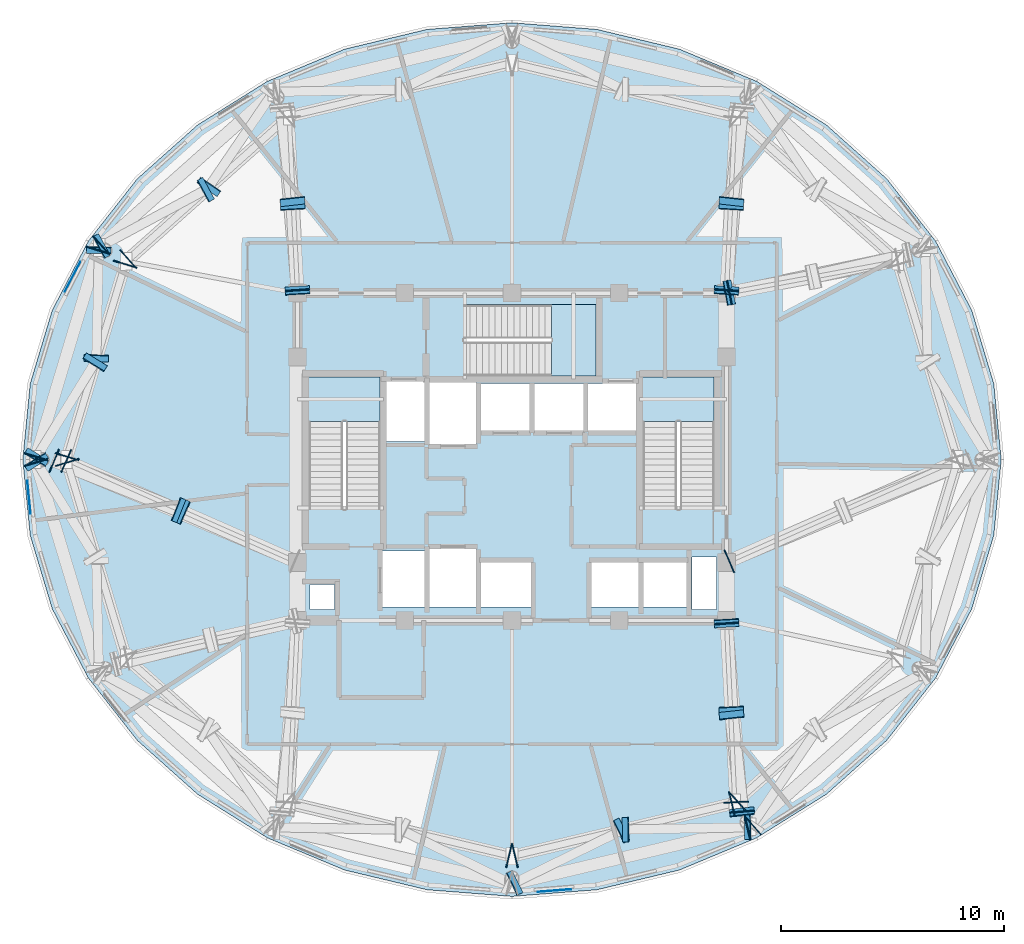
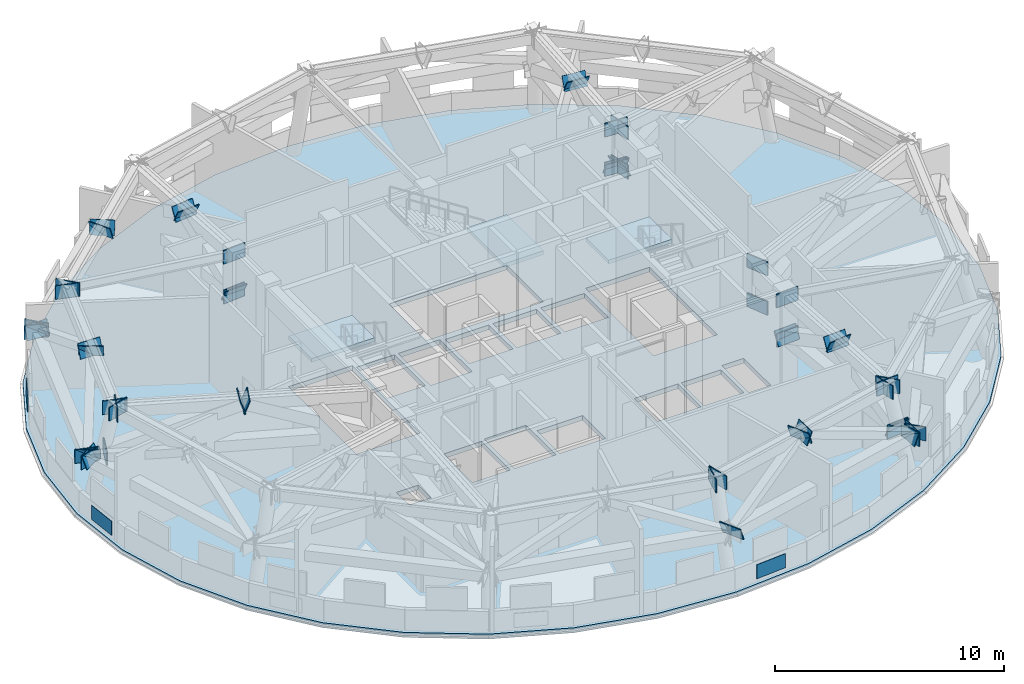
# One storey, part 4 of 13: 56 plates, 4 slabs, 3 elements without a shape of their own.
"""IFC4 building model written with IfcOpenShell, lengths in metres."""

import ifcopenshell
import ifcopenshell.guid

model = None  # the IFC model being written
_history = None  # IfcOwnerHistory: only IFC2X3 demands one
_inside = {}  # id of a spatial element -> (the spatial element, [elements in it])
_under = {}  # id of a project, library or spatial element -> (it, [spatial elements below it])
_declared = {}  # id of a project -> (the project, [libraries it declares])
_typed = {}  # id of a type object -> (the type object, [elements of that type])
_made_of = {}  # id of a material, layer set ... -> (it, [elements and type objects made of it])


def new_model(schema):
    """Start an empty IFC model of exactly this schema.

    Asked for "IFC4X3", IfcOpenShell would pick the latest addendum, in which some entities
    have other attributes; the version numbers below select the first issue.
    IFC2X3 requires an IfcOwnerHistory on every rooted entity: one is made here for all.
    """
    global model, _history
    if schema == "IFC4X3":
        model = ifcopenshell.file(schema_version=(4, 3, 0, 0))
    else:
        model = ifcopenshell.file(schema=schema)
    _inside.clear()
    _under.clear()
    _declared.clear()
    _typed.clear()
    _made_of.clear()
    _history = None
    if model.schema == "IFC2X3":
        org = make("IfcOrganization", Name="unknown")
        user = make(
            "IfcPersonAndOrganization",
            ThePerson=make("IfcPerson", FamilyName="unknown"),
            TheOrganization=org,
        )
        app = make(
            "IfcApplication",
            ApplicationDeveloper=org,
            Version="unknown",
            ApplicationFullName="unknown",
            ApplicationIdentifier="unknown",
        )
        _history = make(
            "IfcOwnerHistory",
            OwningUser=user,
            OwningApplication=app,
            ChangeAction="ADDED",
            CreationDate=0,
        )
    return model


def make(cls, **values):
    """One entity of the class cls with the attributes given. An attribute that is None is left unset."""
    return model.create_entity(
        cls, **{name: value for name, value in values.items() if value is not None}
    )


def rooted(cls, **values):
    """An entity with a GlobalId (a new one), such as an element, a storey or a relation."""
    return make(cls, GlobalId=ifcopenshell.guid.new(), OwnerHistory=_history, **values)


def si_unit(unit_type, name, prefix=None):
    """IfcSIUnit, for example si_unit("LENGTHUNIT", "METRE", prefix="MILLI")."""
    return make("IfcSIUnit", UnitType=unit_type, Prefix=prefix, Name=name)


def assignment(units):
    """IfcUnitAssignment: the units of a project."""
    return None if units is None else make("IfcUnitAssignment", Units=units)


def point(xyz):
    """IfcCartesianPoint."""
    return None if xyz is None else make("IfcCartesianPoint", Coordinates=xyz)


def direction(xyz):
    """IfcDirection."""
    return None if xyz is None else make("IfcDirection", DirectionRatios=xyz)


def frame(location, z_axis=None, x_axis=None):
    """IfcAxis2Placement3D, a coordinate frame: its origin and axes. An axis left out is left unset."""
    return make(
        "IfcAxis2Placement3D",
        Location=point(location),
        Axis=direction(z_axis),
        RefDirection=direction(x_axis),
    )


def frame_2d(location, x_axis=None):
    """IfcAxis2Placement2D, a coordinate frame in the plane: its origin and x axis."""
    return make(
        "IfcAxis2Placement2D", Location=point(location), RefDirection=direction(x_axis)
    )


def origin():
    """The frame at (0, 0, 0) with its axes left unset."""
    return frame((0.0, 0.0, 0.0))


def origin_2d():
    """The frame at (0, 0) in the plane with its x axis left unset."""
    return frame_2d((0.0, 0.0))


def place(relative_to, where):
    """IfcLocalPlacement: puts the frame where relative to a parent placement (None: the world)."""
    return make(
        "IfcLocalPlacement", PlacementRelTo=relative_to, RelativePlacement=where
    )


def context(
    kind, dimensions, precision=None, world=None, true_north=None, identifier=None
):
    """IfcGeometricRepresentationContext, for example the 3D "Model" context."""
    return make(
        "IfcGeometricRepresentationContext",
        ContextIdentifier=identifier,
        ContextType=kind,
        CoordinateSpaceDimension=dimensions,
        Precision=precision,
        WorldCoordinateSystem=world,
        TrueNorth=true_north,
    )


def subcontext(parent, identifier, kind, view, scale=None):
    """IfcGeometricRepresentationSubContext, for example "Body" below "Model"."""
    return make(
        "IfcGeometricRepresentationSubContext",
        ContextIdentifier=identifier,
        ContextType=kind,
        ParentContext=parent,
        TargetScale=scale,
        TargetView=view,
    )


def project(units=None, contexts=None):
    """IfcProject with its units and contexts."""
    return rooted(
        "IfcProject",
        Name="project",
        RepresentationContexts=contexts,
        UnitsInContext=assignment(units),
    )


def spatial(cls, under=None, at=None, **own):
    """A site, building, storey or space (cls), placed at a placement, below another one or the project."""
    s = rooted(cls, ObjectPlacement=at, **own)
    if under is not None:
        _under.setdefault(under.id(), (under, []))[1].append(s)
    return s


def polyline(points):
    """IfcPolyline through the points."""
    return make("IfcPolyline", Points=[point(p) for p in points])


def profile(cls, at=None, kind="AREA", **sizes):
    """A parametric profile (cls). Its sizes go by their IFC names, for example OverallWidth=200.0."""
    return make(cls, ProfileType=kind, Position=at, **sizes)


def rectangle(**sizes):
    """IfcRectangleProfileDef."""
    return profile("IfcRectangleProfileDef", **sizes)


def outline(outer, holes=None, kind="AREA"):
    """IfcArbitraryClosedProfileDef: a profile drawn as a closed curve; with holes, ...WithVoids."""
    if holes is None:
        return make("IfcArbitraryClosedProfileDef", ProfileType=kind, OuterCurve=outer)
    return make(
        "IfcArbitraryProfileDefWithVoids",
        ProfileType=kind,
        OuterCurve=outer,
        InnerCurves=holes,
    )


def extrude(swept, where, along, depth):
    """IfcExtrudedAreaSolid: the profile swept, set in the frame where, extruded along a direction by depth."""
    return make(
        "IfcExtrudedAreaSolid",
        SweptArea=swept,
        Position=where,
        ExtrudedDirection=direction(along),
        Depth=depth,
    )


def shape(context_of_items, identifier, shape_type, items):
    """IfcShapeRepresentation: the items that make up one representation, for example the "Body"."""
    return make(
        "IfcShapeRepresentation",
        ContextOfItems=context_of_items,
        RepresentationIdentifier=identifier,
        RepresentationType=shape_type,
        Items=items,
    )


def material(Name=None, Category=None):
    """IfcMaterial."""
    return make("IfcMaterial", Name=Name, Category=Category)


def layer(
    of_material, thickness, ventilated=None, Name=None, Category=None, Priority=None
):
    """IfcMaterialLayer: one layer of a wall or slab, of a material (None: an air gap)."""
    return make(
        "IfcMaterialLayer",
        Material=of_material,
        LayerThickness=thickness,
        IsVentilated=ventilated,
        Name=Name,
        Category=Category,
        Priority=Priority,
    )


def layer_set(layers, Name=None):
    """IfcMaterialLayerSet."""
    return make("IfcMaterialLayerSet", MaterialLayers=layers, LayerSetName=Name)


def made_of(thing, what):
    """Note that an element or type object is made of a material, layer set ...; save() writes the relation."""
    if what is not None:
        _made_of.setdefault(what.id(), (what, []))[1].append(thing)
    return thing


def type_object(cls, material=None, **own):
    """A type object (cls), such as IfcWallType, which elements share."""
    return made_of(rooted(cls, **own), material)


def element(
    cls,
    number,
    at=None,
    inside=None,
    cuts=None,
    type_object=None,
    material=None,
    context=None,
    identifier="Body",
    shape_type=None,
    held_by="IfcProductDefinitionShape",
    body=None,
    shapes=None,
    **own,
):
    """One element of the class cls, such as IfcWall. Its Tag is "e" and its number.

    at: its placement. inside: the storey or other place that contains it. cuts: it is an
    opening in that element (IfcRelVoidsElement). A single representation is given by context,
    identifier, shape_type and body (its items); several are given by shapes. held_by: the class
    of the entity that holds the representations. save() writes the other relations.
    """
    e = rooted(cls, Tag="e%d" % number, ObjectPlacement=at, **own)
    if body is not None:
        shapes = [shape(context, identifier, shape_type, body)]
    if shapes is not None:
        e.Representation = make(held_by, Representations=shapes)
    if inside is not None:
        _inside.setdefault(inside.id(), (inside, []))[1].append(e)
    if cuts is not None:
        rooted(
            "IfcRelVoidsElement", RelatingBuildingElement=cuts, RelatedOpeningElement=e
        )
    if type_object is not None:
        _typed.setdefault(type_object.id(), (type_object, []))[1].append(e)
    return made_of(e, material)


def aggregate(whole, parts):
    """IfcRelAggregates: a whole, such as a stair, and the parts it consists of."""
    return rooted("IfcRelAggregates", RelatingObject=whole, RelatedObjects=parts)


def save(model, path):
    """Write the relations noted so far, then the file.

    IfcRelAggregates (storeys below a building ...), IfcRelContainedInSpatialStructure (elements
    in a storey), IfcRelDefinesByType, IfcRelAssociatesMaterial and IfcRelDeclares: one each for
    every whole, place, type object, material and project.
    """
    for whole, parts in _under.values():
        aggregate(whole, parts)
    for where, things in _inside.values():
        rooted(
            "IfcRelContainedInSpatialStructure",
            RelatedElements=things,
            RelatingStructure=where,
        )
    for kind, things in _typed.values():
        rooted("IfcRelDefinesByType", RelatedObjects=things, RelatingType=kind)
    for what, things in _made_of.values():
        rooted("IfcRelAssociatesMaterial", RelatedObjects=things, RelatingMaterial=what)
    for by, libraries in _declared.values():
        rooted("IfcRelDeclares", RelatingContext=by, RelatedDefinitions=libraries)
    model.write(path)


model = new_model("IFC4")

# Units and contexts
model_context = context("Model", 3, precision=1e-05, world=origin(), true_north=direction((0.0, 1.0)))
body_context = subcontext(model_context, "Body", "Model", "MODEL_VIEW")
ifc_project = project(units=[si_unit("LENGTHUNIT", "METRE"), si_unit("AREAUNIT", "SQUARE_METRE"), si_unit("VOLUMEUNIT", "CUBIC_METRE"), si_unit("PLANEANGLEUNIT", "RADIAN"), si_unit("MASSUNIT", "GRAM", prefix="KILO")], contexts=[model_context])

# Site, building, storey
site_placement = place(None, origin())
site = spatial("IfcSite", under=ifc_project, at=site_placement, CompositionType="ELEMENT")
building_placement = place(site_placement, origin())
building = spatial("IfcBuilding", under=site, at=building_placement, Name="Vantalir Tower", CompositionType="ELEMENT")
storey_placement = place(building_placement, frame((0.0, 0.0, 253.64990234375)))
storey = spatial("IfcBuildingStorey", under=building, at=storey_placement, Name="L64", CompositionType="ELEMENT", Elevation=253.64990234375)

# Plates
ifc_material_1 = material(Name="Steel S460", Category="steel")
ifc_layer_1 = layer(ifc_material_1, 0.044921875)
ifc_layer_set_1 = layer_set([ifc_layer_1], Name="Steel S460")
plate_type_1 = type_object("IfcPlateType", Name="PLT-BN-01", PredefinedType="USERDEFINED", material=ifc_layer_set_1)
for number, where, z_axis, x_axis, name in (
    (1, (13.111083984375, 34.592041015625, 2.4599609375), (0.0, 0.0, 1.0), (-0.746963185996, -0.664865398985, 0.0), "Node Cap Plate MEM-L64-BTCB-05 End"),
    (2, (14.323974609375, 33.967041015625, 4.56005859375), (0.0, 0.0, 1.0), (-0.747032806442, -0.664787173538, 0.0), "Node Cap Plate MEM-L64-BTCT-05 End"),
):
    element("IfcPlate", number, at=place(storey_placement, frame(where, z_axis=z_axis, x_axis=x_axis)), inside=storey, type_object=plate_type_1, Name=name, ObjectType="FLANGE_PLATE", PredefinedType="USERDEFINED", context=body_context, shape_type="SweptSolid", body=[
        extrude(rectangle(XDim=0.044921875, YDim=1.10009765625, at=origin_2d()), origin(), (0.0, 0.0, 1.0), 0.719970703125),
    ])
plate_1_placement = place(storey_placement, frame((17.387451171875, 37.388671875, 4.554931640625), z_axis=(-0.522591413745, -0.76725031531, 0.371786454751), x_axis=(0.826487752501, -0.562954699744, -3.1652208e-05)))
element("IfcPlate", 3, at=plate_1_placement, inside=storey, type_object=plate_type_1, Name="Node Cap Plate MEM-L64-BTDG-05A End", ObjectType="FLANGE_PLATE", PredefinedType="USERDEFINED", context=body_context, shape_type="SweptSolid", body=[
    extrude(outline(polyline([(0.0, 0.0), (1.1001114412999358, 2.7755575615628914e-17), (1.0999298902449859, 0.7201106129821966), (-4.4110942707572076e-05, 0.7200355982336063), (0.0, 0.0)])), origin(), (0.0, 0.0, -1.0), 0.044921875),
])
for number, where, z_axis, x_axis, name in (
    (4, (13.513671875, 34.148681640625, 2.539794921875), (0.82268899316, 0.443760372304, 0.355330202074), (-0.474735754556, 0.880128378727, -1.7496643e-05), "Node Cap Plate MEM-L64-BTDG-05B Start"),
    (5, (18.179443359375, 36.665771484375, 4.55419921875), (0.82268899316, 0.443760372304, 0.355330202074), (-0.474735754556, 0.880128378727, -1.7496643e-05), "Node Cap Plate MEM-L64-BTDG-05B End"),
):
    element("IfcPlate", number, at=place(storey_placement, frame(where, z_axis=z_axis, x_axis=x_axis)), inside=storey, type_object=plate_type_1, Name=name, ObjectType="FLANGE_PLATE", PredefinedType="USERDEFINED", context=body_context, shape_type="SweptSolid", body=[
        extrude(outline(polyline([(0.0, 0.0), (1.1001096018127938, -2.7755575615628914e-17), (1.0999519388111934, 0.7198474439343402), (5.721209086233603e-05, 0.7198062638666396), (0.0, 0.0)])), origin(), (0.0, 0.0, -1.0), 0.044921875),
    ])
for number, where, z_axis, x_axis, name in (
    (6, (12.970947265625, 34.373046875, 2.4599609375), (0.0, 0.0, 1.0), (-0.288212980863, -0.957566330685, 0.0), "Node Cap Plate MEM-L64-BTCB-06 Start"),
    (7, (10.18896484375, 25.12890625, 2.4599609375), (0.0, 0.0, 1.0), (-0.288212980863, -0.957566330685, 0.0), "Node Cap Plate MEM-L64-BTCB-06 End"),
    (8, (14.18408203125, 33.748046875, 4.56005859375), (0.0, 0.0, 1.0), (-0.288329967509, -0.957531111681, 0.0), "Node Cap Plate MEM-L64-BTCT-06 Start"),
    (9, (11.589111328125, 25.12890625, 4.56005859375), (0.0, 0.0, 1.0), (-0.288329967509, -0.957531111681, 0.0), "Node Cap Plate MEM-L64-BTCT-06 End"),
):
    element("IfcPlate", number, at=place(storey_placement, frame(where, z_axis=z_axis, x_axis=x_axis)), inside=storey, type_object=plate_type_1, Name=name, ObjectType="FLANGE_PLATE", PredefinedType="USERDEFINED", context=body_context, shape_type="SweptSolid", body=[
        extrude(rectangle(XDim=0.044921875, YDim=1.10009765625, at=origin_2d()), origin(), (0.0, 0.0, 1.0), 0.719970703125),
    ])
plate_2_placement = place(storey_placement, frame((12.453125, 34.231689453125, 2.548095703125), z_axis=(-0.022551458451, -0.923482223556, 0.382977825074), x_axis=(0.999701974193, -0.024412349212, 9.58284e-07)))
element("IfcPlate", 10, at=plate_2_placement, inside=storey, type_object=plate_type_1, Name="Node Cap Plate MEM-L64-BTDG-06A Start", ObjectType="FLANGE_PLATE", PredefinedType="USERDEFINED", context=body_context, shape_type="SweptSolid", body=[
    extrude(outline(polyline([(0.0, 0.0), (1.1001813359746093, -1.734723475976807e-18), (1.1000429134665708, 0.7199270180300916), (0.0001056453567545682, 0.7199293003795664), (0.0, 0.0)])), origin(), (0.0, 0.0, -1.0), 0.044921875),
])
plate_3_placement = place(storey_placement, frame((12.335205078125, 29.390625, 4.5556640625), z_axis=(-0.022448763985, -0.923474496541, 0.383002489854), x_axis=(0.99970505159, -0.024285970398, 3.8298633e-05)))
element("IfcPlate", 11, at=plate_3_placement, inside=storey, type_object=plate_type_1, Name="Node Cap Plate MEM-L64-BTDG-06A End", ObjectType="FLANGE_PLATE", PredefinedType="USERDEFINED", context=body_context, shape_type="SweptSolid", body=[
    extrude(outline(polyline([(0.0, 0.0), (1.0999313288905805, 0.0), (1.100096671820545, 0.7201548132083543), (-8.46548781382687e-05, 0.7202460300453455), (0.0, 0.0)])), origin(), (0.0, 0.0, -1.0), 0.044921875),
])
plate_4_placement = place(storey_placement, frame((10.765625, 24.95068359375, 2.545166015625), z_axis=(0.486755741183, 0.789639707037, 0.373547830265), x_axis=(-0.85126176309, 0.524741279777, 0.0)))
element("IfcPlate", 12, at=plate_4_placement, inside=storey, type_object=plate_type_1, Name="Node Cap Plate MEM-L64-BTDG-06B Start", ObjectType="FLANGE_PLATE", PredefinedType="USERDEFINED", context=body_context, shape_type="SweptSolid", body=[
    extrude(outline(polyline([(0.0, 0.0), (1.0998723747169195, 2.7755575615628914e-17), (1.0998289124696545, 0.7200958243945704), (-4.346224726499423e-05, 0.7200958243945704), (0.0, 0.0)])), origin(), (0.0, 0.0, -1.0), 0.044921875),
])
plate_5_placement = place(storey_placement, frame((13.384765625, 29.19873046875, 4.55517578125), z_axis=(0.48690492563, 0.789547733527, 0.373547814716), x_axis=(-0.851162606387, 0.524902102766, 0.0)))
element("IfcPlate", 13, at=plate_5_placement, inside=storey, type_object=plate_type_1, Name="Node Cap Plate MEM-L64-BTDG-06B End", ObjectType="FLANGE_PLATE", PredefinedType="USERDEFINED", context=body_context, shape_type="SweptSolid", body=[
    extrude(outline(polyline([(0.0, 0.0), (1.1000005050137833, 0.0), (1.099906221346243, 0.7200958195337984), (-9.428366754057893e-05, 0.7200958195337984), (0.0, 0.0)])), origin(), (0.0, 0.0, -1.0), 0.044921875),
])
for number, where, z_axis, x_axis, name in (
    (14, (10.18896484375, 24.87109375, 2.4599609375), (0.0, 0.0, 1.0), (0.288212980863, -0.957566330685, 0.0), "Node Cap Plate MEM-L64-BTCB-07 Start"),
    (15, (11.589111328125, 24.87109375, 4.56005859375), (0.0, 0.0, 1.0), (0.288329967509, -0.957531111681, 0.0), "Node Cap Plate MEM-L64-BTCT-07 Start"),
):
    element("IfcPlate", number, at=place(storey_placement, frame(where, z_axis=z_axis, x_axis=x_axis)), inside=storey, type_object=plate_type_1, Name=name, ObjectType="FLANGE_PLATE", PredefinedType="USERDEFINED", context=body_context, shape_type="SweptSolid", body=[
        extrude(rectangle(XDim=0.044921875, YDim=1.10009765625, at=origin_2d()), origin(), (0.0, 0.0, 1.0), 0.719970703125),
    ])
plate_6_placement = place(storey_placement, frame((9.829345703125, 24.47216796875, 2.545166015625), z_axis=(0.486755741183, -0.789639707037, 0.373547830265), x_axis=(0.85126176309, 0.524741279777, 0.0)))
element("IfcPlate", 16, at=plate_6_placement, inside=storey, type_object=plate_type_1, Name="Node Cap Plate MEM-L64-BTDG-07A Start", ObjectType="FLANGE_PLATE", PredefinedType="USERDEFINED", context=body_context, shape_type="SweptSolid", body=[
    extrude(outline(polyline([(0.0, 0.0), (1.0998723747169195, -2.7755575615628914e-17), (1.0999158369641846, 0.7200958243945704), (4.346224726499423e-05, 0.7200958243945704), (0.0, 0.0)])), origin(), (0.0, 0.0, -1.0), 0.044921875),
])
for number, where, z_axis, x_axis, name in (
    (17, (31.368896484375, 7.277099609375, 4.56005859375), (0.0, 0.0, 1.0), (0.972719222475, -0.231985590561, 0.0), "Node Cap Plate MEM-L64-BTCT-09 End"),
    (18, (42.0439453125, 8.510986328125, 2.4599609375), (0.0, 0.0, 1.0), (0.972715173414, 0.232002567679, 0.0), "Node Cap Plate MEM-L64-BTCB-10 End"),
    (19, (31.631103515625, 7.277099609375, 4.56005859375), (0.0, 0.0, 1.0), (0.972719222475, 0.231985590561, 0.0), "Node Cap Plate MEM-L64-BTCT-10 Start"),
    (20, (41.343994140625, 9.593994140625, 4.56005859375), (0.0, 0.0, 1.0), (0.972719222475, 0.231985590561, 0.0), "Node Cap Plate MEM-L64-BTCT-10 End"),
):
    element("IfcPlate", number, at=place(storey_placement, frame(where, z_axis=z_axis, x_axis=x_axis)), inside=storey, type_object=plate_type_1, Name=name, ObjectType="FLANGE_PLATE", PredefinedType="USERDEFINED", context=body_context, shape_type="SweptSolid", body=[
        extrude(rectangle(XDim=0.044921875, YDim=1.10009765625, at=origin_2d()), origin(), (0.0, 0.0, 1.0), 0.719970703125),
    ])
plate_7_placement = place(storey_placement, frame((31.98876953125, 5.622802734375, 2.539306640625), z_axis=(0.84018489593, 0.410957746848, 0.35384045975), x_axis=(-0.439372086764, 0.898305164342, -3.2996022e-05)))
element("IfcPlate", 21, at=plate_7_placement, inside=storey, type_object=plate_type_1, Name="Node Cap Plate MEM-L64-BTDG-10A Start", ObjectType="FLANGE_PLATE", PredefinedType="USERDEFINED", context=body_context, shape_type="SweptSolid", body=[
    extrude(outline(polyline([(0.0, 0.0), (1.0998433495602875, 0.0), (1.099993800997623, 0.719952921940855), (4.318286146518168e-05, 0.7198753168939025), (0.0, 0.0)])), origin(), (0.0, 0.0, -1.0), 0.044921875),
])
plate_8_placement = place(storey_placement, frame((36.77392578125, 7.96337890625, 4.553955078125), z_axis=(0.84022091893, 0.410924597659, 0.353793417732), x_axis=(-0.439356190958, 0.898312938265, 4.9124081e-05)))
element("IfcPlate", 22, at=plate_8_placement, inside=storey, type_object=plate_type_1, Name="Node Cap Plate MEM-L64-BTDG-10A End", ObjectType="FLANGE_PLATE", PredefinedType="USERDEFINED", context=body_context, shape_type="SweptSolid", body=[
    extrude(outline(polyline([(0.0, 0.0), (1.0999506150522347, 2.7755575615628914e-17), (1.1000445990715022, 0.720103666789176), (-1.806596786802376e-05, 0.7202192135718445), (0.0, 0.0)])), origin(), (0.0, 0.0, -1.0), 0.044921875),
])
plate_9_placement = place(storey_placement, frame((41.891845703125, 9.0869140625, 2.537109375), z_axis=(-0.937929828891, -0.017592690464, 0.34637859824), x_axis=(0.018740328924, -0.999824383966, -3.6051316e-05)))
element("IfcPlate", 23, at=plate_9_placement, inside=storey, type_object=plate_type_1, Name="Node Cap Plate MEM-L64-BTDG-10B Start", ObjectType="FLANGE_PLATE", PredefinedType="USERDEFINED", context=body_context, shape_type="SweptSolid", body=[
    extrude(outline(polyline([(0.0, 0.0), (1.1000446868638891, 0.0), (1.1000584072918353, 0.7201583075380634), (9.145152330113131e-06, 0.720073757146744), (0.0, 0.0)])), origin(), (0.0, 0.0, -1.0), 0.044921875),
])
plate_10_placement = place(storey_placement, frame((36.430419921875, 8.984619140625, 4.5537109375), z_axis=(-0.937946171599, -0.017488896429, 0.346339598783), x_axis=(0.018642708459, -0.999826209609, 0.0)))
element("IfcPlate", 24, at=plate_10_placement, inside=storey, type_object=plate_type_1, Name="Node Cap Plate MEM-L64-BTDG-10B End", ObjectType="FLANGE_PLATE", PredefinedType="USERDEFINED", context=body_context, shape_type="SweptSolid", body=[
    extrude(outline(polyline([(0.0, 0.0), (1.100044692822163, -8.673617379884035e-19), (1.100053849890992, 0.7198447307165646), (9.157068828901868e-06, 0.7198447307165646), (0.0, 0.0)])), origin(), (0.0, 0.0, -1.0), 0.044921875),
])
for number, where, z_axis, x_axis, name in (
    (25, (42.27587890625, 8.632080078125, 2.4599609375), (0.0, 0.0, 1.0), (0.746963185996, 0.664865398985, 0.0), "Node Cap Plate MEM-L64-BTCB-11 Start"),
    (26, (41.575927734375, 9.715087890625, 4.56005859375), (0.0, 0.0, 1.0), (0.747032806442, 0.664787173538, 0.0), "Node Cap Plate MEM-L64-BTCT-11 Start"),
    (27, (41.22509765625, 20.451904296875, 2.4599609375), (0.0, 0.0, 1.0), (0.922814001807, 0.385245789164, 0.0), "Node Cap Plate MEM-L64-ORCB-01 Start"),
    (28, (41.22412109375, 20.4541015625, 4.56005859375), (0.0, 0.0, 1.0), (0.915599444234, 0.40209160364, 0.0), "Node Cap Plate MEM-L64-ORCT-01 Start"),
    (29, (41.23193359375, 32.47802734375, 2.4599609375), (0.0, 0.0, 1.0), (0.978849539387, 0.204581473357, 0.0), "Node Cap Plate MEM-L64-ORCB-02 Start"),
    (30, (41.23291015625, 32.47509765625, 4.56005859375), (0.0, 0.0, 1.0), (0.98234606983, 0.187072710703, 0.0), "Node Cap Plate MEM-L64-ORCT-02 Start"),
):
    element("IfcPlate", number, at=place(storey_placement, frame(where, z_axis=z_axis, x_axis=x_axis)), inside=storey, type_object=plate_type_1, Name=name, ObjectType="FLANGE_PLATE", PredefinedType="USERDEFINED", context=body_context, shape_type="SweptSolid", body=[
        extrude(rectangle(XDim=0.044921875, YDim=1.10009765625, at=origin_2d()), origin(), (0.0, 0.0, 1.0), 0.719970703125),
    ])
plate_11_placement = place(storey_placement, frame((41.505615234375, 31.96728515625, 2.575927734375), z_axis=(0.868037463633, 0.165233068936, 0.46819760215), x_axis=(-0.18701829226, 0.982356430389, 4.5101222e-05)))
element("IfcPlate", 31, at=plate_11_placement, inside=storey, type_object=plate_type_1, Name="Node Cap Plate MEM-L64-ORDG-02A Start", ObjectType="FLANGE_PLATE", PredefinedType="USERDEFINED", context=body_context, shape_type="SweptSolid", body=[
    extrude(outline(polyline([(0.0, 0.0), (1.0999916946473574, 0.0), (1.1000567285943774, 0.7199680017883576), (0.00011069270977862894, 0.72008028925734), (0.0, 0.0)])), origin(), (0.0, 0.0, -1.0), 0.044921875),
])
for number, where, z_axis, x_axis, name in (
    (32, (41.111083984375, 32.5849609375, 2.4599609375), (0.0, 0.0, 1.0), (0.083730019462, 0.996488476522, 0.0), "Node Cap Plate MEM-L64-ORCB-03 Start"),
    (33, (41.10693359375, 32.5849609375, 4.56005859375), (0.0, 0.0, 1.0), (0.054427364735, 0.998517732425, 0.0), "Node Cap Plate MEM-L64-ORCT-03 Start"),
):
    element("IfcPlate", number, at=place(storey_placement, frame(where, z_axis=z_axis, x_axis=x_axis)), inside=storey, type_object=plate_type_1, Name=name, ObjectType="FLANGE_PLATE", PredefinedType="USERDEFINED", context=body_context, shape_type="SweptSolid", body=[
        extrude(rectangle(XDim=0.044921875, YDim=1.10009765625, at=origin_2d()), origin(), (0.0, 0.0, 1.0), 0.719970703125),
    ])
plate_12_placement = place(storey_placement, frame((41.665771484375, 32.726318359375, 2.57421875), z_axis=(0.048291846965, 0.884891542051, 0.463287012902), x_axis=(-0.99851280271, 0.054517708323, -4.7986507e-05)))
element("IfcPlate", 34, at=plate_12_placement, inside=storey, type_object=plate_type_1, Name="Node Cap Plate MEM-L64-ORDG-03A Start", ObjectType="FLANGE_PLATE", PredefinedType="USERDEFINED", context=body_context, shape_type="SweptSolid", body=[
    extrude(outline(polyline([(0.0, 0.0), (1.0997856305758469, 0.0), (1.0998701890749405, 0.7201877669008392), (-0.0001459090532470132, 0.7200686517872041), (0.0, 0.0)])), origin(), (0.0, 0.0, -1.0), 0.044921875),
])
plate_13_placement = place(storey_placement, frame((41.872802734375, 36.52392578125, 4.5625), z_axis=(0.04818487074, 0.884831565147, 0.463412688164), x_axis=(-0.998520532031, 0.054375979184, 0.0)))
element("IfcPlate", 35, at=plate_13_placement, inside=storey, type_object=plate_type_1, Name="Node Cap Plate MEM-L64-ORDG-03A End", ObjectType="FLANGE_PLATE", PredefinedType="USERDEFINED", context=body_context, shape_type="SweptSolid", body=[
    extrude(outline(polyline([(0.0, 0.0), (1.1000161104756463, 3.469446951953614e-18), (1.0999348867902226, 0.7201816104503053), (-8.122368542373203e-05, 0.7201816104503053), (0.0, 0.0)])), origin(), (0.0, 0.0, -1.0), 0.044921875),
])
plate_14_placement = place(storey_placement, frame((40.763427734375, 36.443359375, 4.55908203125), z_axis=(-0.099596500804, -0.899179698789, 0.426094363155), x_axis=(0.993921571182, -0.110090464338, 0.0)))
element("IfcPlate", 36, at=plate_14_placement, inside=storey, type_object=plate_type_1, Name="Node Cap Plate MEM-L64-ORDG-03B Start", ObjectType="FLANGE_PLATE", PredefinedType="USERDEFINED", context=body_context, shape_type="SweptSolid", body=[
    extrude(outline(polyline([(0.0, 0.0), (1.099947672379585, -6.938893903907228e-18), (1.0998642219071133, 0.7199983488154924), (-8.345047247158843e-05, 0.7199983488154924), (0.0, 0.0)])), origin(), (0.0, 0.0, -1.0), 0.044921875),
])
for number, where, z_axis, x_axis, name in (
    (37, (21.888916015625, 32.5849609375, 2.4599609375), (0.0, 0.0, 1.0), (-0.083730019462, 0.996488476522, 0.0), "Node Cap Plate MEM-L64-ORCB-04 Start"),
    (38, (21.89306640625, 32.5849609375, 4.56005859375), (0.0, 0.0, 1.0), (-0.054427364735, 0.998517732425, 0.0), "Node Cap Plate MEM-L64-ORCT-04 Start"),
):
    element("IfcPlate", number, at=place(storey_placement, frame(where, z_axis=z_axis, x_axis=x_axis)), inside=storey, type_object=plate_type_1, Name=name, ObjectType="FLANGE_PLATE", PredefinedType="USERDEFINED", context=body_context, shape_type="SweptSolid", body=[
        extrude(rectangle(XDim=0.044921875, YDim=1.10009765625, at=origin_2d()), origin(), (0.0, 0.0, 1.0), 0.719970703125),
    ])
plate_15_placement = place(storey_placement, frame((22.432373046875, 32.786376953125, 2.57421875), z_axis=(-0.048291846965, 0.884891542051, 0.463287012902), x_axis=(-0.99851280271, -0.054517708323, 4.7986507e-05)))
element("IfcPlate", 39, at=plate_15_placement, inside=storey, type_object=plate_type_1, Name="Node Cap Plate MEM-L64-ORDG-04A Start", ObjectType="FLANGE_PLATE", PredefinedType="USERDEFINED", context=body_context, shape_type="SweptSolid", body=[
    extrude(outline(polyline([(0.0, 0.0), (1.0997856305758469, 0.0), (1.0999315396290938, 0.7200686517872041), (-8.45584990936442e-05, 0.7201877669008391), (0.0, 0.0)])), origin(), (0.0, 0.0, -1.0), 0.044921875),
])
plate_16_placement = place(storey_placement, frame((22.2255859375, 36.583740234375, 4.5625), z_axis=(-0.04818487074, 0.884831565147, 0.463412688164), x_axis=(-0.998520532031, -0.054375979184, 0.0)))
element("IfcPlate", 40, at=plate_16_placement, inside=storey, type_object=plate_type_1, Name="Node Cap Plate MEM-L64-ORDG-04A End", ObjectType="FLANGE_PLATE", PredefinedType="USERDEFINED", context=body_context, shape_type="SweptSolid", body=[
    extrude(outline(polyline([(0.0, 0.0), (1.1000161104756463, -3.469446951953614e-18), (1.10009733416107, 0.7201816104503053), (8.122368542373203e-05, 0.7201816104503053), (0.0, 0.0)])), origin(), (0.0, 0.0, -1.0), 0.044921875),
])
plate_17_placement = place(storey_placement, frame((21.143310546875, 36.322265625, 4.55908203125), z_axis=(0.099596500804, -0.899179698789, 0.426094363155), x_axis=(0.993921571182, 0.110090464338, 0.0)))
element("IfcPlate", 41, at=plate_17_placement, inside=storey, type_object=plate_type_1, Name="Node Cap Plate MEM-L64-ORDG-04B Start", ObjectType="FLANGE_PLATE", PredefinedType="USERDEFINED", context=body_context, shape_type="SweptSolid", body=[
    extrude(outline(polyline([(0.0, 0.0), (1.099947672379585, 6.938893903907228e-18), (1.1000311228520565, 0.7199983488154924), (8.345047247158843e-05, 0.7199983488154924), (0.0, 0.0)])), origin(), (0.0, 0.0, -1.0), 0.044921875),
])
for number, where, z_axis, x_axis, name in (
    (42, (11.006103515625, 24.947998046875, 2.4599609375), (0.0, 0.0, 1.0), (-0.922814001807, 0.385245789164, 0.0), "Node Cap Plate MEM-L64-ORCB-05 End"),
    (43, (11.549072265625, 24.946044921875, 4.56005859375), (0.0, 0.0, 1.0), (-0.915599444234, 0.40209160364, 0.0), "Node Cap Plate MEM-L64-ORCT-05 End"),
):
    element("IfcPlate", number, at=place(storey_placement, frame(where, z_axis=z_axis, x_axis=x_axis)), inside=storey, type_object=plate_type_1, Name=name, ObjectType="FLANGE_PLATE", PredefinedType="USERDEFINED", context=body_context, shape_type="SweptSolid", body=[
        extrude(rectangle(XDim=0.044921875, YDim=1.10009765625, at=origin_2d()), origin(), (0.0, 0.0, 1.0), 0.719970703125),
    ])
plate_18_placement = place(storey_placement, frame((16.841552734375, 23.22216796875, 4.553466796875), z_axis=(-0.859523767366, 0.377461164747, 0.344589556488), x_axis=(-0.40207659801, -0.91560603332, 3.2872428e-05)))
element("IfcPlate", 44, at=plate_18_placement, inside=storey, type_object=plate_type_1, Name="Node Cap Plate MEM-L64-ORDG-05A End", ObjectType="FLANGE_PLATE", PredefinedType="USERDEFINED", context=body_context, shape_type="SweptSolid", body=[
    extrude(outline(polyline([(0.0, 0.0), (1.0998622086038545, 2.7755575615628914e-17), (1.1000191068534453, 0.7200924072595366), (5.873501765475785e-05, 0.720169438676774), (0.0, 0.0)])), origin(), (0.0, 0.0, -1.0), 0.044921875),
])
plate_19_placement = place(storey_placement, frame((16.493408203125, 22.175537109375, 4.552490234375), z_axis=(0.88043785253, -0.350156222253, 0.319718325795), x_axis=(0.369556986284, 0.929208068053, -1.2425297e-05)))
element("IfcPlate", 45, at=plate_19_placement, inside=storey, type_object=plate_type_1, Name="Node Cap Plate MEM-L64-ORDG-05B Start", ObjectType="FLANGE_PLATE", PredefinedType="USERDEFINED", context=body_context, shape_type="SweptSolid", body=[
    extrude(outline(polyline([(0.0, 0.0), (1.0998479870682658, 0.0), (1.099976644169413, 0.7199297921253134), (-9.820033734209739e-05, 0.7199009432286723), (0.0, 0.0)])), origin(), (0.0, 0.0, -1.0), 0.044921875),
])
for number, where, z_axis, x_axis, name in (
    (46, (41.111083984375, 17.6650390625, 2.4599609375), (0.0, 0.0, 1.0), (0.081347077707, -0.996685834628, 0.0), "Node Cap Plate MEM-L64-ORCB-08 Start"),
    (47, (41.798095703125, 9.241943359375, 2.4599609375), (0.0, 0.0, 1.0), (0.081347077707, -0.996685834628, 0.0), "Node Cap Plate MEM-L64-ORCB-08 End"),
    (48, (41.10693359375, 17.6650390625, 4.56005859375), (0.0, 0.0, 1.0), (0.052789114547, -0.998605682632, 0.0), "Node Cap Plate MEM-L64-ORCT-08 Start"),
    (49, (41.530029296875, 9.6640625, 4.56005859375), (0.0, 0.0, 1.0), (0.052789114547, -0.998605682632, 0.0), "Node Cap Plate MEM-L64-ORCT-08 End"),
):
    element("IfcPlate", number, at=place(storey_placement, frame(where, z_axis=z_axis, x_axis=x_axis)), inside=storey, type_object=plate_type_1, Name=name, ObjectType="FLANGE_PLATE", PredefinedType="USERDEFINED", context=body_context, shape_type="SweptSolid", body=[
        extrude(rectangle(XDim=0.044921875, YDim=1.10009765625, at=origin_2d()), origin(), (0.0, 0.0, 1.0), 0.719970703125),
    ])
plate_20_placement = place(storey_placement, frame((40.56689453125, 17.4677734375, 2.570556640625), z_axis=(0.047013446522, -0.890682116328, 0.452189234171), x_axis=(0.998610978022, 0.052688829768, -4.2339371e-05)))
element("IfcPlate", 50, at=plate_20_placement, inside=storey, type_object=plate_type_1, Name="Node Cap Plate MEM-L64-ORDG-08A Start", ObjectType="FLANGE_PLATE", PredefinedType="USERDEFINED", context=body_context, shape_type="SweptSolid", body=[
    extrude(outline(polyline([(0.0, 0.0), (1.0999116315365587, 0.0), (1.0999525007365678, 0.7199468099809032), (-0.000215795792126696, 0.7198423725997399), (0.0, 0.0)])), origin(), (0.0, 0.0, -1.0), 0.044921875),
])
plate_21_placement = place(storey_placement, frame((40.774169921875, 13.546630859375, 4.5615234375), z_axis=(0.047113568575, -0.890604811002, 0.452331053849), x_axis=(0.998603690874, 0.052826778935, 0.0)))
element("IfcPlate", 51, at=plate_21_placement, inside=storey, type_object=plate_type_1, Name="Node Cap Plate MEM-L64-ORDG-08A End", ObjectType="FLANGE_PLATE", PredefinedType="USERDEFINED", context=body_context, shape_type="SweptSolid", body=[
    extrude(outline(polyline([(0.0, 0.0), (1.0999245065012344, 0.0), (1.099793746610903, 0.7199526433280428), (-0.00013075989033148674, 0.7199526433280428), (0.0, 0.0)])), origin(), (0.0, 0.0, -1.0), 0.044921875),
])
plate_22_placement = place(storey_placement, frame((41.857421875, 13.79736328125, 4.558349609375), z_axis=(-0.097464679781, 0.903919323145, 0.41644986906), x_axis=(-0.994236915154, -0.107205207544, 4.504933e-06)))
element("IfcPlate", 52, at=plate_22_placement, inside=storey, type_object=plate_type_1, Name="Node Cap Plate MEM-L64-ORDG-08B Start", ObjectType="FLANGE_PLATE", PredefinedType="USERDEFINED", context=body_context, shape_type="SweptSolid", body=[
    extrude(outline(polyline([(0.0, 0.0), (1.0998455220261216, -6.938893903907228e-18), (1.100007777947008, 0.7199359959034204), (-8.047770097745086e-05, 0.7199468967009646), (0.0, 0.0)])), origin(), (0.0, 0.0, -1.0), 0.044921875),
])
plate_23_placement = place(storey_placement, frame((42.324951171875, 9.45849609375, 2.55859375), z_axis=(-0.097348101065, 0.903874596416, 0.41657419648), x_axis=(-0.994248180356, -0.107100672798, 4.1781408e-05)))
element("IfcPlate", 53, at=plate_23_placement, inside=storey, type_object=plate_type_1, Name="Node Cap Plate MEM-L64-ORDG-08B End", ObjectType="FLANGE_PLATE", PredefinedType="USERDEFINED", context=body_context, shape_type="SweptSolid", body=[
    extrude(outline(polyline([(0.0, 0.0), (1.100088250233097, -6.938893903907228e-18), (1.100243383489038, 0.7199359891167888), (0.00018128088113581362, 0.7200371058329734), (0.0, 0.0)])), origin(), (0.0, 0.0, -1.0), 0.044921875),
])
ifc_material_2 = material(Name="Champagne-silver PVDF soffit cassette", Category="aluminium")
ifc_layer_2 = layer(ifc_material_2, 0.02001953125)
ifc_layer_set_2 = layer_set([ifc_layer_2], Name="Champagne-silver PVDF soffit cassette")
plate_type_2 = type_object("IfcPlateType", Name="PLT-SC-02", PredefinedType="SHEET", material=ifc_layer_set_2)
for number, where, z_axis, x_axis, name in (
    (54, (11.825927734375, 33.180908203125, 0.175048828125), (0.0, 0.0, 1.0), (-0.46362081457, -0.886033712845, 0.0), "L64 PVDF Aluminium Spandrel Cassette R16"),
    (55, (9.876953125, 23.31298828125, 0.175048828125), (0.0, 0.0, 1.0), (0.097530789641, -0.995232508046, 0.0), "L64 PVDF Aluminium Spandrel Cassette R19"),
    (56, (33.39306640625, 5.7060546875, 0.175048828125), (0.0, 0.0, 1.0), (0.996965075661, 0.077850098982, 0.0), "L64 PVDF Aluminium Spandrel Cassette R28"),
):
    element("IfcPlate", number, at=place(storey_placement, frame(where, z_axis=z_axis, x_axis=x_axis)), inside=storey, type_object=plate_type_2, Name=name, PredefinedType="SHEET", context=body_context, shape_type="SweptSolid", body=[
        extrude(rectangle(XDim=1.5, YDim=0.02001953125, at=origin_2d()), origin(), (0.0, 0.0, 1.0), 0.75),
    ])

# Stair, slab
ifc_material_3 = material(Name="Concrete C40/50", Category="concrete")
stair_type = type_object("IfcStairType", Name="STR-CORE-1450", PredefinedType="HALF_TURN_STAIR", material=ifc_material_3)
stair_1_placement = place(storey_placement, origin())
stair_1 = element("IfcStair", 57, at=stair_1_placement, inside=storey, type_object=stair_type, Name="L64 Core Exit Stair 1", PredefinedType="HALF_TURN_STAIR")
ifc_layer_3 = layer(ifc_material_3, 0.199951171875)
ifc_layer_set_3 = layer_set([ifc_layer_3], Name="Concrete C40/50")
slab_type_1 = type_object("IfcSlabType", Name="SL-LAND-200", PredefinedType="LANDING", material=ifc_layer_set_3)
slab_1_placement = place(storey_placement, frame((0.0, 0.0, 2.5)))
slab_1 = element("IfcSlab", 58, at=slab_1_placement, type_object=slab_type_1, Name="ST1 landing 1", PredefinedType="LANDING", context=body_context, shape_type="SweptSolid", body=[
    extrude(outline(polyline([(25.60009765625, 26.7099609375), (25.60009765625, 28.699951171875), (22.39990234375, 28.699951171875), (22.39990234375, 26.7099609375), (25.60009765625, 26.7099609375)])), origin(), (0.0, 0.0, 1.0), 0.2001953125),
])
aggregate(stair_1, [slab_1])

stair_2_placement = place(storey_placement, origin())
stair_2 = element("IfcStair", 59, at=stair_2_placement, inside=storey, type_object=stair_type, Name="L64 Core Exit Stair 2", PredefinedType="HALF_TURN_STAIR")
slab_2_placement = place(storey_placement, frame((0.0, 0.0, 2.5)))
slab_2 = element("IfcSlab", 60, at=slab_2_placement, type_object=slab_type_1, Name="ST2 landing 1", PredefinedType="LANDING", context=body_context, shape_type="SweptSolid", body=[
    extrude(outline(polyline([(40.550048828125, 26.7099609375), (40.550048828125, 28.699951171875), (37.35009765625, 28.699951171875), (37.35009765625, 26.7099609375), (40.550048828125, 26.7099609375)])), origin(), (0.0, 0.0, 1.0), 0.2001953125),
])
aggregate(stair_2, [slab_2])

stair_3_placement = place(storey_placement, origin())
stair_3 = element("IfcStair", 61, at=stair_3_placement, inside=storey, type_object=stair_type, Name="L64 Core Exit Stair 3", PredefinedType="HALF_TURN_STAIR")
slab_3_placement = place(storey_placement, frame((0.0, 0.0, 2.5)))
slab_3 = element("IfcSlab", 62, at=slab_3_placement, type_object=slab_type_1, Name="ST3 landing 1", PredefinedType="LANDING", context=body_context, shape_type="SweptSolid", body=[
    extrude(outline(polyline([(33.260009765625, 28.75), (35.25, 28.75), (35.25, 31.949951171875), (33.260009765625, 31.949951171875), (33.260009765625, 28.75)])), origin(), (0.0, 0.0, 1.0), 0.2001953125),
])
aggregate(stair_3, [slab_3])

# Slab
ifc_material_4 = material(Name="Concrete C50/60", Category="concrete")
ifc_layer_4 = layer(ifc_material_4, 0.25)
ifc_layer_set_4 = layer_set([ifc_layer_4], Name="Concrete C50/60")
slab_type_2 = type_object("IfcSlabType", Name="SL-PLNT-250", PredefinedType="FLOOR", material=ifc_layer_set_4)
slab_4_placement = place(storey_placement, frame((0.0, 0.0, -0.25)))
element("IfcSlab", 63, at=slab_4_placement, inside=storey, type_object=slab_type_2, Name="L64 Primary Structural Slab", PredefinedType="FLOOR", context=body_context, shape_type="SweptSolid", body=[
    extrude(outline(polyline([(14.72412109375, 12.430908203125), (17.423095703125, 10.02099609375), (20.550048828125, 8.06591796875), (24.010009765625, 6.625), (27.697021484375, 5.742919921875), (31.5, 5.446044921875), (35.302978515625, 5.742919921875), (38.989990234375, 6.625), (42.449951171875, 8.06591796875), (45.576904296875, 10.02099609375), (48.27587890625, 12.430908203125), (50.466064453125, 15.222900390625), (52.0791015625, 18.31201171875), (53.06689453125, 21.60400390625), (53.39990234375, 25.0), (53.06689453125, 28.39599609375), (52.0791015625, 31.68798828125), (50.466064453125, 34.777099609375), (48.27587890625, 37.569091796875), (45.576904296875, 39.97900390625), (42.449951171875, 41.93408203125), (38.989990234375, 43.375), (35.302978515625, 44.257080078125), (31.5, 44.553955078125), (27.697021484375, 44.257080078125), (24.010009765625, 43.375), (20.550048828125, 41.93408203125), (17.423095703125, 39.97900390625), (14.72412109375, 37.569091796875), (12.533935546875, 34.777099609375), (10.9208984375, 31.68798828125), (9.93310546875, 28.39599609375), (9.60009765625, 25.0), (9.93310546875, 21.60400390625), (10.9208984375, 18.31201171875), (12.533935546875, 15.222900390625), (14.72412109375, 12.430908203125)]), holes=[polyline([(22.39990234375, 28.699951171875), (25.60009765625, 28.699951171875), (25.60009765625, 22.7900390625), (22.39990234375, 22.7900390625), (22.39990234375, 28.699951171875)]), polyline([(40.550048828125, 28.699951171875), (40.550048828125, 22.7900390625), (37.35009765625, 22.7900390625), (37.35009765625, 28.699951171875), (40.550048828125, 28.699951171875)]), polyline([(29.340087890625, 28.75), (29.340087890625, 31.949951171875), (35.25, 31.949951171875), (35.25, 28.75), (29.340087890625, 28.75)]), polyline([(25.699951171875, 18.39990234375), (25.699951171875, 20.89990234375), (27.60009765625, 20.89990234375), (27.60009765625, 18.39990234375), (25.699951171875, 18.39990234375)]), polyline([(25.699951171875, 28.5), (27.60009765625, 28.5), (27.60009765625, 25.800048828125), (25.699951171875, 25.800048828125), (25.699951171875, 28.5)]), polyline([(29.89990234375, 21.0), (29.89990234375, 18.39990234375), (27.800048828125, 18.39990234375), (27.800048828125, 21.0), (29.89990234375, 21.0)]), polyline([(29.89990234375, 25.699951171875), (27.800048828125, 25.699951171875), (27.800048828125, 28.5), (29.89990234375, 28.5), (29.89990234375, 25.699951171875)]), polyline([(30.10009765625, 18.39990234375), (30.10009765625, 20.39990234375), (32.39990234375, 20.39990234375), (32.39990234375, 18.39990234375), (30.10009765625, 18.39990234375)]), polyline([(37.35009765625, 20.39990234375), (39.35009765625, 20.39990234375), (39.35009765625, 18.39990234375), (37.35009765625, 18.39990234375), (37.35009765625, 20.39990234375)]), polyline([(37.199951171875, 20.39990234375), (37.199951171875, 18.39990234375), (35.0, 18.39990234375), (35.0, 20.39990234375), (37.199951171875, 20.39990234375)]), polyline([(32.300048828125, 26.300048828125), (30.10009765625, 26.300048828125), (30.10009765625, 28.39990234375), (32.300048828125, 28.39990234375), (32.300048828125, 26.300048828125)]), polyline([(32.5, 26.300048828125), (32.5, 28.39990234375), (34.699951171875, 28.39990234375), (34.699951171875, 26.300048828125), (32.5, 26.300048828125)]), polyline([(34.89990234375, 28.39990234375), (37.10009765625, 28.39990234375), (37.10009765625, 26.300048828125), (34.89990234375, 26.300048828125), (34.89990234375, 28.39990234375)]), polyline([(23.550048828125, 19.39990234375), (23.550048828125, 18.300048828125), (22.449951171875, 18.300048828125), (22.449951171875, 19.39990234375), (23.550048828125, 19.39990234375)]), polyline([(40.64990234375, 18.300048828125), (39.550048828125, 18.300048828125), (39.550048828125, 20.64990234375), (40.64990234375, 20.64990234375), (40.64990234375, 18.300048828125)])]), origin(), (0.0, 0.0, 1.0), 0.25),
])

save(model, "model.ifc")
